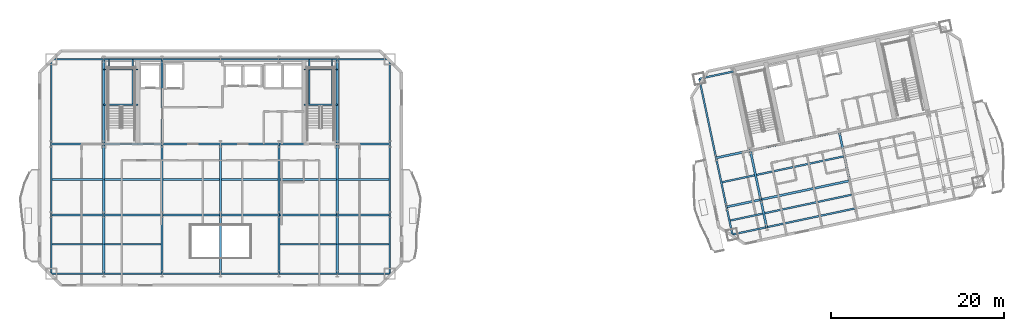
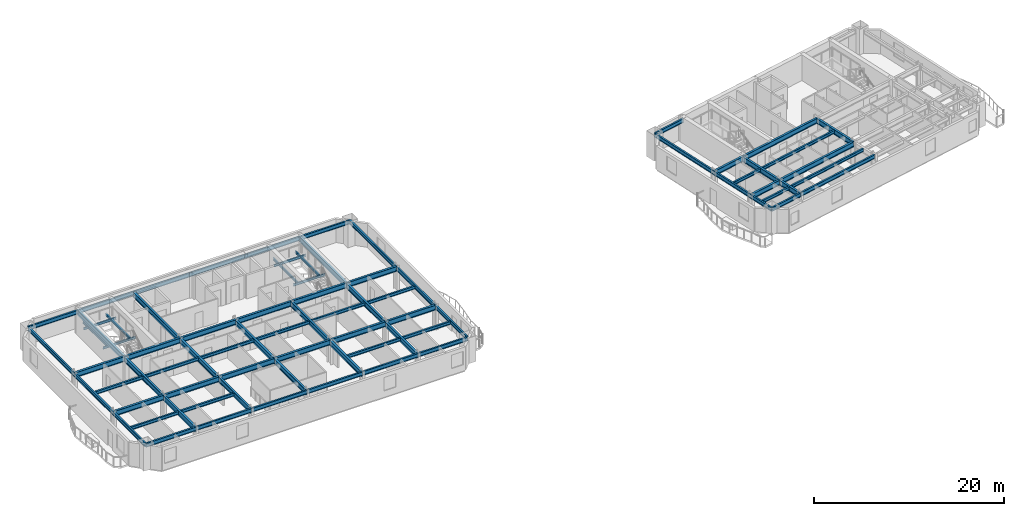
# One storey, part 3 of 13: 78 beams.
"""IFC4 building model written with IfcOpenShell, lengths in metres."""

from ifc_helpers import new_model, si_unit, direction, frame, origin, origin_2d, place, context, subcontext, project, spatial, i_section, extrude, material, material_profile, profile_set, type_object, element, save


model = new_model("IFC4")

# Units and contexts
model_context = context("Model", 3, precision=1e-05, world=origin(), true_north=direction((0.0, 1.0)))
body_context = subcontext(model_context, "Body", "Model", "MODEL_VIEW")
ifc_project = project(units=[si_unit("LENGTHUNIT", "METRE"), si_unit("AREAUNIT", "SQUARE_METRE"), si_unit("VOLUMEUNIT", "CUBIC_METRE"), si_unit("PLANEANGLEUNIT", "RADIAN"), si_unit("MASSUNIT", "GRAM", prefix="KILO")], contexts=[model_context])

# Site, building, storey
site_placement = place(None, origin())
site = spatial("IfcSite", under=ifc_project, at=site_placement, CompositionType="ELEMENT")
building_placement = place(site_placement, origin())
building = spatial("IfcBuilding", under=site, at=building_placement, Name="Haevon Station Towers", CompositionType="ELEMENT")
storey_placement = place(building_placement, frame((0.0, 0.0, 162.60009765625)))
storey = spatial("IfcBuildingStorey", under=building, at=storey_placement, Name="L44", CompositionType="ELEMENT", Elevation=162.60009765625)

# Beams
ifc_material = material(Name="Steel S355", Category="steel")
ifc_material_profile_1 = material_profile(ifc_material, i_section(OverallWidth=0.25, OverallDepth=0.64990234375, WebThickness=0.012939453125, FlangeThickness=0.02197265625, at=origin_2d()), Name="H-650x250x13x22")
ifc_profile_set_1 = profile_set([ifc_material_profile_1], Name="Steel S355")
beam_type_1 = type_object("IfcBeamType", Name="BM-G650", PredefinedType="BEAM", material=ifc_profile_set_1)
beam_1_placement = place(storey_placement, frame((17.925048828125, 30.0, 2.724853515625), z_axis=(1.0, 0.0, 0.0), x_axis=(0.0, 1.0, 0.0)))
element("IfcBeam", 1, at=beam_1_placement, inside=storey, type_object=beam_type_1, Name="BM-T1U-L44-02-01", PredefinedType="BEAM", context=body_context, shape_type="SweptSolid", body=[
    extrude(i_section(OverallWidth=0.25, OverallDepth=0.64990234375, WebThickness=0.012939453125, FlangeThickness=0.02197265625, at=origin_2d()), origin(), (0.0, 0.0, 1.0), 6.074951171875),
])
for number, where, z_axis, x_axis, name in (
    (2, (24.0, 30.0, 2.724853515625), (1.0, 0.0, 0.0), (0.0, 1.0, 0.0), "BM-T1U-L44-02-02"),
    (3, (30.75, 30.0, 2.724853515625), (1.0, 0.0, 0.0), (0.0, 1.0, 0.0), "BM-T1U-L44-02-03"),
    (4, (37.5, 30.0, 2.724853515625), (1.0, 0.0, 0.0), (0.0, 1.0, 0.0), "BM-T1U-L44-02-04"),
    (5, (44.25, 30.0, 2.724853515625), (1.0, 0.0, 0.0), (0.0, 1.0, 0.0), "BM-T1U-L44-02-05"),
):
    element("IfcBeam", number, at=place(storey_placement, frame(where, z_axis=z_axis, x_axis=x_axis)), inside=storey, type_object=beam_type_1, Name=name, PredefinedType="BEAM", context=body_context, shape_type="SweptSolid", body=[
        extrude(i_section(OverallWidth=0.25, OverallDepth=0.64990234375, WebThickness=0.012939453125, FlangeThickness=0.02197265625, at=origin_2d()), origin(), (0.0, 0.0, 1.0), 6.75),
    ])
for number, where, z_axis, x_axis, name in (
    (6, (51.0, 30.0, 2.724853515625), (1.0, 0.0, 0.0), (0.0, 1.0, 0.0), "BM-T1U-L44-02-06"),
    (7, (17.925048828125, 38.199951171875, 2.724853515625), (1.0, 0.0, 0.0), (0.0, 1.0, 0.0), "BM-T1U-L44-03-01"),
):
    element("IfcBeam", number, at=place(storey_placement, frame(where, z_axis=z_axis, x_axis=x_axis)), inside=storey, type_object=beam_type_1, Name=name, PredefinedType="BEAM", context=body_context, shape_type="SweptSolid", body=[
        extrude(i_section(OverallWidth=0.25, OverallDepth=0.64990234375, WebThickness=0.012939453125, FlangeThickness=0.02197265625, at=origin_2d()), origin(), (0.0, 0.0, 1.0), 6.074951171875),
    ])
for number, where, z_axis, x_axis, name in (
    (8, (24.0, 38.199951171875, 2.724853515625), (1.0, 0.0, 0.0), (0.0, 1.0, 0.0), "BM-T1U-L44-03-02"),
    (9, (30.75, 38.199951171875, 2.724853515625), (1.0, 0.0, 0.0), (0.0, 1.0, 0.0), "BM-T1U-L44-03-03"),
    (10, (37.5, 38.199951171875, 2.724853515625), (1.0, 0.0, 0.0), (0.0, 1.0, 0.0), "BM-T1U-L44-03-04"),
    (11, (44.25, 38.199951171875, 2.724853515625), (1.0, 0.0, 0.0), (0.0, 1.0, 0.0), "BM-T1U-L44-03-05"),
):
    element("IfcBeam", number, at=place(storey_placement, frame(where, z_axis=z_axis, x_axis=x_axis)), inside=storey, type_object=beam_type_1, Name=name, PredefinedType="BEAM", context=body_context, shape_type="SweptSolid", body=[
        extrude(i_section(OverallWidth=0.25, OverallDepth=0.64990234375, WebThickness=0.012939453125, FlangeThickness=0.02197265625, at=origin_2d()), origin(), (0.0, 0.0, 1.0), 6.75),
    ])
beam_2_placement = place(storey_placement, frame((51.0, 38.199951171875, 2.724853515625), z_axis=(1.0, 0.0, 0.0), x_axis=(0.0, 1.0, 0.0)))
element("IfcBeam", 12, at=beam_2_placement, inside=storey, type_object=beam_type_1, Name="BM-T1U-L44-03-06", PredefinedType="BEAM", context=body_context, shape_type="SweptSolid", body=[
    extrude(i_section(OverallWidth=0.25, OverallDepth=0.64990234375, WebThickness=0.012939453125, FlangeThickness=0.02197265625, at=origin_2d()), origin(), (0.0, 0.0, 1.0), 6.074951171875),
])
beam_3_placement = place(storey_placement, frame((24.0, 23.199951171875, 2.724853515625), z_axis=(0.0, 1.0, 0.0), x_axis=(-1.0, 0.0, 0.0)))
element("IfcBeam", 13, at=beam_3_placement, inside=storey, type_object=beam_type_1, Name="BM-T1V-L44-02-01", PredefinedType="BEAM", context=body_context, shape_type="SweptSolid", body=[
    extrude(i_section(OverallWidth=0.25, OverallDepth=0.64990234375, WebThickness=0.012939453125, FlangeThickness=0.02197265625, at=origin_2d()), origin(), (0.0, 0.0, 1.0), 6.800048828125),
])
beam_4_placement = place(storey_placement, frame((24.0, 30.0, 2.724853515625), z_axis=(0.0, 1.0, 0.0), x_axis=(-1.0, 0.0, 0.0)))
element("IfcBeam", 14, at=beam_4_placement, inside=storey, type_object=beam_type_1, Name="BM-T1V-L44-02-02", PredefinedType="BEAM", context=body_context, shape_type="SweptSolid", body=[
    extrude(i_section(OverallWidth=0.25, OverallDepth=0.64990234375, WebThickness=0.012939453125, FlangeThickness=0.02197265625, at=origin_2d()), origin(), (0.0, 0.0, 1.0), 8.199951171875),
])
beam_5_placement = place(storey_placement, frame((24.0, 38.199951171875, 2.724853515625), z_axis=(0.0, 1.0, 0.0), x_axis=(-1.0, 0.0, 0.0)))
element("IfcBeam", 15, at=beam_5_placement, inside=storey, type_object=beam_type_1, Name="BM-T1V-L44-02-03", PredefinedType="BEAM", context=body_context, shape_type="SweptSolid", body=[
    extrude(i_section(OverallWidth=0.25, OverallDepth=0.64990234375, WebThickness=0.012939453125, FlangeThickness=0.02197265625, at=origin_2d()), origin(), (0.0, 0.0, 1.0), 9.800048828125),
])
beam_6_placement = place(storey_placement, frame((30.75, 23.199951171875, 2.724853515625), z_axis=(0.0, 1.0, 0.0), x_axis=(-1.0, 0.0, 0.0)))
element("IfcBeam", 16, at=beam_6_placement, inside=storey, type_object=beam_type_1, Name="BM-T1V-L44-03-01", PredefinedType="BEAM", context=body_context, shape_type="SweptSolid", body=[
    extrude(i_section(OverallWidth=0.25, OverallDepth=0.64990234375, WebThickness=0.012939453125, FlangeThickness=0.02197265625, at=origin_2d()), origin(), (0.0, 0.0, 1.0), 6.800048828125),
])
beam_7_placement = place(storey_placement, frame((30.75, 30.0, 2.724853515625), z_axis=(0.0, 1.0, 0.0), x_axis=(-1.0, 0.0, 0.0)))
element("IfcBeam", 17, at=beam_7_placement, inside=storey, type_object=beam_type_1, Name="BM-T1V-L44-03-02", PredefinedType="BEAM", context=body_context, shape_type="SweptSolid", body=[
    extrude(i_section(OverallWidth=0.25, OverallDepth=0.64990234375, WebThickness=0.012939453125, FlangeThickness=0.02197265625, at=origin_2d()), origin(), (0.0, 0.0, 1.0), 8.199951171875),
])
beam_8_placement = place(storey_placement, frame((30.75, 38.199951171875, 2.724853515625), z_axis=(0.0, 1.0, 0.0), x_axis=(-1.0, 0.0, 0.0)))
element("IfcBeam", 18, at=beam_8_placement, inside=storey, type_object=beam_type_1, Name="BM-T1V-L44-03-03", PredefinedType="BEAM", context=body_context, shape_type="SweptSolid", body=[
    extrude(i_section(OverallWidth=0.25, OverallDepth=0.64990234375, WebThickness=0.012939453125, FlangeThickness=0.02197265625, at=origin_2d()), origin(), (0.0, 0.0, 1.0), 9.800048828125),
])
beam_9_placement = place(storey_placement, frame((37.5, 23.199951171875, 2.724853515625), z_axis=(0.0, 1.0, 0.0), x_axis=(-1.0, 0.0, 0.0)))
element("IfcBeam", 19, at=beam_9_placement, inside=storey, type_object=beam_type_1, Name="BM-T1V-L44-04-01", PredefinedType="BEAM", context=body_context, shape_type="SweptSolid", body=[
    extrude(i_section(OverallWidth=0.25, OverallDepth=0.64990234375, WebThickness=0.012939453125, FlangeThickness=0.02197265625, at=origin_2d()), origin(), (0.0, 0.0, 1.0), 6.800048828125),
])
beam_10_placement = place(storey_placement, frame((37.5, 30.0, 2.724853515625), z_axis=(0.0, 1.0, 0.0), x_axis=(-1.0, 0.0, 0.0)))
element("IfcBeam", 20, at=beam_10_placement, inside=storey, type_object=beam_type_1, Name="BM-T1V-L44-04-02", PredefinedType="BEAM", context=body_context, shape_type="SweptSolid", body=[
    extrude(i_section(OverallWidth=0.25, OverallDepth=0.64990234375, WebThickness=0.012939453125, FlangeThickness=0.02197265625, at=origin_2d()), origin(), (0.0, 0.0, 1.0), 8.199951171875),
])
beam_11_placement = place(storey_placement, frame((44.25, 23.199951171875, 2.724853515625), z_axis=(0.0, 1.0, 0.0), x_axis=(-1.0, 0.0, 0.0)))
element("IfcBeam", 21, at=beam_11_placement, inside=storey, type_object=beam_type_1, Name="BM-T1V-L44-05-01", PredefinedType="BEAM", context=body_context, shape_type="SweptSolid", body=[
    extrude(i_section(OverallWidth=0.25, OverallDepth=0.64990234375, WebThickness=0.012939453125, FlangeThickness=0.02197265625, at=origin_2d()), origin(), (0.0, 0.0, 1.0), 6.800048828125),
])
beam_12_placement = place(storey_placement, frame((44.25, 30.0, 2.724853515625), z_axis=(0.0, 1.0, 0.0), x_axis=(-1.0, 0.0, 0.0)))
element("IfcBeam", 22, at=beam_12_placement, inside=storey, type_object=beam_type_1, Name="BM-T1V-L44-05-02", PredefinedType="BEAM", context=body_context, shape_type="SweptSolid", body=[
    extrude(i_section(OverallWidth=0.25, OverallDepth=0.64990234375, WebThickness=0.012939453125, FlangeThickness=0.02197265625, at=origin_2d()), origin(), (0.0, 0.0, 1.0), 8.199951171875),
])
beam_13_placement = place(storey_placement, frame((51.0, 23.199951171875, 2.724853515625), z_axis=(0.0, 1.0, 0.0), x_axis=(-1.0, 0.0, 0.0)))
element("IfcBeam", 23, at=beam_13_placement, inside=storey, type_object=beam_type_1, Name="BM-T1V-L44-06-01", PredefinedType="BEAM", context=body_context, shape_type="SweptSolid", body=[
    extrude(i_section(OverallWidth=0.25, OverallDepth=0.64990234375, WebThickness=0.012939453125, FlangeThickness=0.02197265625, at=origin_2d()), origin(), (0.0, 0.0, 1.0), 6.800048828125),
])
beam_14_placement = place(storey_placement, frame((51.0, 30.0, 2.724853515625), z_axis=(0.0, 1.0, 0.0), x_axis=(-1.0, 0.0, 0.0)))
element("IfcBeam", 24, at=beam_14_placement, inside=storey, type_object=beam_type_1, Name="BM-T1V-L44-06-02", PredefinedType="BEAM", context=body_context, shape_type="SweptSolid", body=[
    extrude(i_section(OverallWidth=0.25, OverallDepth=0.64990234375, WebThickness=0.012939453125, FlangeThickness=0.02197265625, at=origin_2d()), origin(), (0.0, 0.0, 1.0), 8.199951171875),
])
beam_15_placement = place(storey_placement, frame((51.0, 38.199951171875, 2.724853515625), z_axis=(0.0, 1.0, 0.0), x_axis=(-1.0, 0.0, 0.0)))
element("IfcBeam", 25, at=beam_15_placement, inside=storey, type_object=beam_type_1, Name="BM-T1V-L44-06-03", PredefinedType="BEAM", context=body_context, shape_type="SweptSolid", body=[
    extrude(i_section(OverallWidth=0.25, OverallDepth=0.64990234375, WebThickness=0.012939453125, FlangeThickness=0.02197265625, at=origin_2d()), origin(), (0.0, 0.0, 1.0), 9.800048828125),
])
beam_16_placement = place(storey_placement, frame((95.996826171875, 30.927001953125, 2.724853515625), z_axis=(0.978146899108, 0.207914991681, 0.0), x_axis=(-0.207914991681, 0.978146899108, 0.0)))
element("IfcBeam", 26, at=beam_16_placement, inside=storey, type_object=beam_type_1, Name="BM-T2U-L44-02-01", PredefinedType="BEAM", context=body_context, shape_type="SweptSolid", body=[
    extrude(i_section(OverallWidth=0.25, OverallDepth=0.64990234375, WebThickness=0.012939453125, FlangeThickness=0.02197265625, at=origin_2d()), origin(), (0.0, 0.0, 1.0), 4.050048828125),
])
beam_17_placement = place(storey_placement, frame((99.958251953125, 31.76904296875, 2.724853515625), z_axis=(0.978146794194, 0.207915485254, 0.0), x_axis=(-0.207915485254, 0.978146794194, 0.0)))
element("IfcBeam", 27, at=beam_17_placement, inside=storey, type_object=beam_type_1, Name="BM-T2U-L44-02-02", PredefinedType="BEAM", context=body_context, shape_type="SweptSolid", body=[
    extrude(i_section(OverallWidth=0.25, OverallDepth=0.64990234375, WebThickness=0.012939453125, FlangeThickness=0.02197265625, at=origin_2d()), origin(), (0.0, 0.0, 1.0), 10.5),
])
beam_18_placement = place(storey_placement, frame((94.790771484375, 36.600341796875, 2.724853515625), z_axis=(0.978149504816, 0.207902732613, 0.0), x_axis=(-0.207902732613, 0.978149504816, 0.0)))
element("IfcBeam", 28, at=beam_18_placement, inside=storey, type_object=beam_type_1, Name="BM-T2U-L44-03-01", PredefinedType="BEAM", context=body_context, shape_type="SweptSolid", body=[
    extrude(i_section(OverallWidth=0.25, OverallDepth=0.64990234375, WebThickness=0.012939453125, FlangeThickness=0.02197265625, at=origin_2d()), origin(), (0.0, 0.0, 1.0), 4.050048828125),
])
beam_19_placement = place(storey_placement, frame((98.75244140625, 37.4423828125, 2.724853515625), z_axis=(0.978146794194, 0.207915485254, 0.0), x_axis=(-0.207915485254, 0.978146794194, 0.0)))
element("IfcBeam", 29, at=beam_19_placement, inside=storey, type_object=beam_type_1, Name="BM-T2U-L44-03-02", PredefinedType="BEAM", context=body_context, shape_type="SweptSolid", body=[
    extrude(i_section(OverallWidth=0.25, OverallDepth=0.64990234375, WebThickness=0.012939453125, FlangeThickness=0.02197265625, at=origin_2d()), origin(), (0.0, 0.0, 1.0), 10.5),
])
beam_20_placement = place(storey_placement, frame((100.635986328125, 28.580322265625, 2.724853515625), z_axis=(-0.207897270364, 0.978150665785, 0.0), x_axis=(-0.978150665785, -0.207897270364, 0.0)))
element("IfcBeam", 30, at=beam_20_placement, inside=storey, type_object=beam_type_1, Name="BM-T2V-L44-02-01", PredefinedType="BEAM", context=body_context, shape_type="SweptSolid", body=[
    extrude(i_section(OverallWidth=0.25, OverallDepth=0.64990234375, WebThickness=0.012939453125, FlangeThickness=0.02197265625, at=origin_2d()), origin(), (0.0, 0.0, 1.0), 3.260009765625),
])
for number, where, z_axis, x_axis, name in (
    (31, (99.958251953125, 31.76904296875, 2.724853515625), (-0.207896009217, 0.97815093383, 0.0), (-0.97815093383, -0.207896009217, 0.0), "BM-T2V-L44-02-02"),
    (32, (110.228759765625, 33.9521484375, 2.724853515625), (-0.207896009217, 0.97815093383, 0.0), (-0.97815093383, -0.207896009217, 0.0), "BM-T2V-L44-03-02"),
):
    element("IfcBeam", number, at=place(storey_placement, frame(where, z_axis=z_axis, x_axis=x_axis)), inside=storey, type_object=beam_type_1, Name=name, PredefinedType="BEAM", context=body_context, shape_type="SweptSolid", body=[
        extrude(i_section(OverallWidth=0.25, OverallDepth=0.64990234375, WebThickness=0.012939453125, FlangeThickness=0.02197265625, at=origin_2d()), origin(), (0.0, 0.0, 1.0), 5.800048828125),
    ])
ifc_material_profile_2 = material_profile(ifc_material, i_section(OverallWidth=0.199951171875, OverallDepth=0.39990234375, WebThickness=0.008056640625, FlangeThickness=0.012939453125, at=origin_2d()), Name="H-400x200x8x13")
ifc_profile_set_2 = profile_set([ifc_material_profile_2], Name="Steel S355")
beam_type_2 = type_object("IfcBeamType", Name="BM-J400", PredefinedType="JOIST", material=ifc_profile_set_2)
beam_21_placement = place(storey_placement, frame((18.034912109375, 26.60009765625, 2.849853515625), z_axis=(1.0, 0.0, 0.0), x_axis=(0.0, 1.0, 0.0)))
element("IfcBeam", 33, at=beam_21_placement, inside=storey, type_object=beam_type_2, Name="BM-T1J-L44-01-01", PredefinedType="JOIST", context=body_context, shape_type="SweptSolid", body=[
    extrude(i_section(OverallWidth=0.199951171875, OverallDepth=0.39990234375, WebThickness=0.008056640625, FlangeThickness=0.012939453125, at=origin_2d()), origin(), (0.0, 0.0, 1.0), 5.85498046875),
])
for number, where, z_axis, x_axis, name in (
    (34, (24.110107421875, 26.60009765625, 2.849853515625), (1.0, 0.0, 0.0), (0.0, 1.0, 0.0), "BM-T1J-L44-01-02"),
    (35, (44.360107421875, 26.60009765625, 2.849853515625), (1.0, 0.0, 0.0), (0.0, 1.0, 0.0), "BM-T1J-L44-01-05"),
):
    element("IfcBeam", number, at=place(storey_placement, frame(where, z_axis=z_axis, x_axis=x_axis)), inside=storey, type_object=beam_type_2, Name=name, PredefinedType="JOIST", context=body_context, shape_type="SweptSolid", body=[
        extrude(i_section(OverallWidth=0.199951171875, OverallDepth=0.39990234375, WebThickness=0.008056640625, FlangeThickness=0.012939453125, at=origin_2d()), origin(), (0.0, 0.0, 1.0), 6.52978515625),
    ])
for number, where, z_axis, x_axis, name in (
    (36, (51.110107421875, 26.60009765625, 2.849853515625), (1.0, 0.0, 0.0), (0.0, 1.0, 0.0), "BM-T1J-L44-01-06"),
    (37, (18.034912109375, 34.10009765625, 2.849853515625), (1.0, 0.0, 0.0), (0.0, 1.0, 0.0), "BM-T1J-L44-02-01"),
):
    element("IfcBeam", number, at=place(storey_placement, frame(where, z_axis=z_axis, x_axis=x_axis)), inside=storey, type_object=beam_type_2, Name=name, PredefinedType="JOIST", context=body_context, shape_type="SweptSolid", body=[
        extrude(i_section(OverallWidth=0.199951171875, OverallDepth=0.39990234375, WebThickness=0.008056640625, FlangeThickness=0.012939453125, at=origin_2d()), origin(), (0.0, 0.0, 1.0), 5.85498046875),
    ])
for number, where, z_axis, x_axis, name in (
    (38, (24.110107421875, 34.10009765625, 2.849853515625), (1.0, 0.0, 0.0), (0.0, 1.0, 0.0), "BM-T1J-L44-02-02"),
    (39, (30.860107421875, 34.10009765625, 2.849853515625), (1.0, 0.0, 0.0), (0.0, 1.0, 0.0), "BM-T1J-L44-02-03"),
    (40, (37.610107421875, 34.10009765625, 2.849853515625), (1.0, 0.0, 0.0), (0.0, 1.0, 0.0), "BM-T1J-L44-02-04"),
    (41, (44.360107421875, 34.10009765625, 2.849853515625), (1.0, 0.0, 0.0), (0.0, 1.0, 0.0), "BM-T1J-L44-02-05"),
):
    element("IfcBeam", number, at=place(storey_placement, frame(where, z_axis=z_axis, x_axis=x_axis)), inside=storey, type_object=beam_type_2, Name=name, PredefinedType="JOIST", context=body_context, shape_type="SweptSolid", body=[
        extrude(i_section(OverallWidth=0.199951171875, OverallDepth=0.39990234375, WebThickness=0.008056640625, FlangeThickness=0.012939453125, at=origin_2d()), origin(), (0.0, 0.0, 1.0), 6.52978515625),
    ])
beam_22_placement = place(storey_placement, frame((51.110107421875, 34.10009765625, 2.849853515625), z_axis=(1.0, 0.0, 0.0), x_axis=(0.0, 1.0, 0.0)))
element("IfcBeam", 42, at=beam_22_placement, inside=storey, type_object=beam_type_2, Name="BM-T1J-L44-02-06", PredefinedType="JOIST", context=body_context, shape_type="SweptSolid", body=[
    extrude(i_section(OverallWidth=0.199951171875, OverallDepth=0.39990234375, WebThickness=0.008056640625, FlangeThickness=0.012939453125, at=origin_2d()), origin(), (0.0, 0.0, 1.0), 5.85498046875),
])
beam_23_placement = place(storey_placement, frame((96.443115234375, 29.355712890625, 2.849853515625), z_axis=(0.978156420772, 0.207870191472, 0.0), x_axis=(-0.207870191472, 0.978156420772, 0.0)))
element("IfcBeam", 43, at=beam_23_placement, inside=storey, type_object=beam_type_2, Name="BM-T2J-L44-01-01", PredefinedType="JOIST", context=body_context, shape_type="SweptSolid", body=[
    extrude(i_section(OverallWidth=0.199951171875, OverallDepth=0.39990234375, WebThickness=0.008056640625, FlangeThickness=0.012939453125, at=origin_2d()), origin(), (0.0, 0.0, 1.0), 3.830078125),
])
beam_24_placement = place(storey_placement, frame((100.40478515625, 30.19775390625, 2.849853515625), z_axis=(0.978150339653, 0.207898804801, 0.0), x_axis=(-0.207898804801, 0.978150339653, 0.0)))
element("IfcBeam", 44, at=beam_24_placement, inside=storey, type_object=beam_type_2, Name="BM-T2J-L44-01-02", PredefinedType="JOIST", context=body_context, shape_type="SweptSolid", body=[
    extrude(i_section(OverallWidth=0.199951171875, OverallDepth=0.39990234375, WebThickness=0.008056640625, FlangeThickness=0.012939453125, at=origin_2d()), origin(), (0.0, 0.0, 1.0), 10.280029296875),
])
beam_25_placement = place(storey_placement, frame((95.50146484375, 33.78662109375, 2.849853515625), z_axis=(0.97814345794, 0.207931180176, 0.0), x_axis=(-0.207931180176, 0.97814345794, 0.0)))
element("IfcBeam", 45, at=beam_25_placement, inside=storey, type_object=beam_type_2, Name="BM-T2J-L44-02-01", PredefinedType="JOIST", context=body_context, shape_type="SweptSolid", body=[
    extrude(i_section(OverallWidth=0.199951171875, OverallDepth=0.39990234375, WebThickness=0.008056640625, FlangeThickness=0.012939453125, at=origin_2d()), origin(), (0.0, 0.0, 1.0), 3.830078125),
])
beam_26_placement = place(storey_placement, frame((99.462890625, 34.628662109375, 2.849853515625), z_axis=(0.978150339653, 0.207898804801, 0.0), x_axis=(-0.207898804801, 0.978150339653, 0.0)))
element("IfcBeam", 46, at=beam_26_placement, inside=storey, type_object=beam_type_2, Name="BM-T2J-L44-02-02", PredefinedType="JOIST", context=body_context, shape_type="SweptSolid", body=[
    extrude(i_section(OverallWidth=0.199951171875, OverallDepth=0.39990234375, WebThickness=0.008056640625, FlangeThickness=0.012939453125, at=origin_2d()), origin(), (0.0, 0.0, 1.0), 10.280029296875),
])
ifc_material_profile_3 = material_profile(ifc_material, i_section(OverallWidth=0.14990234375, OverallDepth=0.300048828125, WebThickness=0.006591796875, FlangeThickness=0.009033203125, at=origin_2d()), Name="H-300x150x6.5x9")
ifc_profile_set_3 = profile_set([ifc_material_profile_3], Name="Steel S355")
beam_type_3 = type_object("IfcBeamType", Name="BM-LIN300", PredefinedType="LINTEL", material=ifc_profile_set_3)
for number, where, z_axis, x_axis, name in (
    (47, (24.0, 42.743896484375, 1.2998046875), (1.0, 0.0, 0.0), (0.0, 1.0, 0.0), "BM-ST1L-L44-1-S"),
    (48, (24.0, 46.820068359375, 1.2998046875), (1.0, 0.0, 0.0), (0.0, 1.0, 0.0), "BM-ST1L-L44-1-N"),
):
    element("IfcBeam", number, at=place(storey_placement, frame(where, z_axis=z_axis, x_axis=x_axis)), inside=storey, type_object=beam_type_3, Name=name, PredefinedType="LINTEL", context=body_context, shape_type="SweptSolid", body=[
        extrude(i_section(OverallWidth=0.14990234375, OverallDepth=0.300048828125, WebThickness=0.006591796875, FlangeThickness=0.009033203125, at=origin_2d()), origin(), (0.0, 0.0, 1.0), 3.949951171875),
    ])
for number, where, z_axis, x_axis, name in (
    (49, (24.60009765625, 42.743896484375, 1.2998046875), (0.0, 1.0, 0.0), (-1.0, 0.0, 0.0), "BM-ST1L-L44-1-W"),
    (50, (27.35009765625, 42.743896484375, 1.2998046875), (0.0, 1.0, 0.0), (-1.0, 0.0, 0.0), "BM-ST1L-L44-1-E"),
):
    element("IfcBeam", number, at=place(storey_placement, frame(where, z_axis=z_axis, x_axis=x_axis)), inside=storey, type_object=beam_type_3, Name=name, PredefinedType="LINTEL", context=body_context, shape_type="SweptSolid", body=[
        extrude(i_section(OverallWidth=0.14990234375, OverallDepth=0.300048828125, WebThickness=0.006591796875, FlangeThickness=0.009033203125, at=origin_2d()), origin(), (0.0, 0.0, 1.0), 5.256103515625),
    ])
for number, where, z_axis, x_axis, name in (
    (51, (47.14990234375, 42.743896484375, 1.2998046875), (1.0, 0.0, 0.0), (0.0, 1.0, 0.0), "BM-ST2L-L44-1-S"),
    (52, (47.14990234375, 46.820068359375, 1.2998046875), (1.0, 0.0, 0.0), (0.0, 1.0, 0.0), "BM-ST2L-L44-1-N"),
):
    element("IfcBeam", number, at=place(storey_placement, frame(where, z_axis=z_axis, x_axis=x_axis)), inside=storey, type_object=beam_type_3, Name=name, PredefinedType="LINTEL", context=body_context, shape_type="SweptSolid", body=[
        extrude(i_section(OverallWidth=0.14990234375, OverallDepth=0.300048828125, WebThickness=0.006591796875, FlangeThickness=0.009033203125, at=origin_2d()), origin(), (0.0, 0.0, 1.0), 3.85009765625),
    ])
for number, where, z_axis, x_axis, name in (
    (53, (47.75, 42.743896484375, 1.2998046875), (0.0, 1.0, 0.0), (-1.0, 0.0, 0.0), "BM-ST2L-L44-1-W"),
    (54, (50.39990234375, 42.743896484375, 1.2998046875), (0.0, 1.0, 0.0), (-1.0, 0.0, 0.0), "BM-ST2L-L44-1-E"),
):
    element("IfcBeam", number, at=place(storey_placement, frame(where, z_axis=z_axis, x_axis=x_axis)), inside=storey, type_object=beam_type_3, Name=name, PredefinedType="LINTEL", context=body_context, shape_type="SweptSolid", body=[
        extrude(i_section(OverallWidth=0.14990234375, OverallDepth=0.300048828125, WebThickness=0.006591796875, FlangeThickness=0.009033203125, at=origin_2d()), origin(), (0.0, 0.0, 1.0), 5.256103515625),
    ])
ifc_material_profile_4 = material_profile(ifc_material, i_section(OverallWidth=0.199951171875, OverallDepth=0.5, WebThickness=0.010009765625, FlangeThickness=0.01611328125, at=origin_2d()), Name="H-500x200x10x16")
ifc_profile_set_4 = profile_set([ifc_material_profile_4], Name="Steel S355")
beam_type_4 = type_object("IfcBeamType", Name="BM-SP500", PredefinedType="SPANDREL", material=ifc_profile_set_4)
beam_27_placement = place(storey_placement, frame((17.925048828125, 23.199951171875, 2.7998046875), z_axis=(1.0, 0.0, 0.0), x_axis=(0.0, 1.0, 0.0)))
element("IfcBeam", 55, at=beam_27_placement, inside=storey, type_object=beam_type_4, Name="BM-T1U-L44-01-01", PredefinedType="SPANDREL", context=body_context, shape_type="SweptSolid", body=[
    extrude(i_section(OverallWidth=0.199951171875, OverallDepth=0.5, WebThickness=0.010009765625, FlangeThickness=0.01611328125, at=origin_2d()), origin(), (0.0, 0.0, 1.0), 6.074951171875),
])
for number, where, z_axis, x_axis, name in (
    (56, (24.0, 23.199951171875, 2.7998046875), (1.0, 0.0, 0.0), (0.0, 1.0, 0.0), "BM-T1U-L44-01-02"),
    (57, (30.75, 23.199951171875, 2.7998046875), (1.0, 0.0, 0.0), (0.0, 1.0, 0.0), "BM-T1U-L44-01-03"),
    (58, (37.5, 23.199951171875, 2.7998046875), (1.0, 0.0, 0.0), (0.0, 1.0, 0.0), "BM-T1U-L44-01-04"),
    (59, (44.25, 23.199951171875, 2.7998046875), (1.0, 0.0, 0.0), (0.0, 1.0, 0.0), "BM-T1U-L44-01-05"),
):
    element("IfcBeam", number, at=place(storey_placement, frame(where, z_axis=z_axis, x_axis=x_axis)), inside=storey, type_object=beam_type_4, Name=name, PredefinedType="SPANDREL", context=body_context, shape_type="SweptSolid", body=[
        extrude(i_section(OverallWidth=0.199951171875, OverallDepth=0.5, WebThickness=0.010009765625, FlangeThickness=0.01611328125, at=origin_2d()), origin(), (0.0, 0.0, 1.0), 6.75),
    ])
for number, where, z_axis, x_axis, name in (
    (60, (51.0, 23.199951171875, 2.7998046875), (1.0, 0.0, 0.0), (0.0, 1.0, 0.0), "BM-T1U-L44-01-06"),
    (61, (17.925048828125, 48.0, 2.7998046875), (1.0, 0.0, 0.0), (0.0, 1.0, 0.0), "BM-T1U-L44-04-01"),
):
    element("IfcBeam", number, at=place(storey_placement, frame(where, z_axis=z_axis, x_axis=x_axis)), inside=storey, type_object=beam_type_4, Name=name, PredefinedType="SPANDREL", context=body_context, shape_type="SweptSolid", body=[
        extrude(i_section(OverallWidth=0.199951171875, OverallDepth=0.5, WebThickness=0.010009765625, FlangeThickness=0.01611328125, at=origin_2d()), origin(), (0.0, 0.0, 1.0), 6.074951171875),
    ])
for number, where, z_axis, x_axis, name in (
    (62, (24.0, 48.0, 2.7998046875), (1.0, 0.0, 0.0), (0.0, 1.0, 0.0), "BM-T1U-L44-04-02"),
    (63, (30.75, 48.0, 2.7998046875), (1.0, 0.0, 0.0), (0.0, 1.0, 0.0), "BM-T1U-L44-04-03"),
    (64, (37.5, 48.0, 2.7998046875), (1.0, 0.0, 0.0), (0.0, 1.0, 0.0), "BM-T1U-L44-04-04"),
    (65, (44.25, 48.0, 2.7998046875), (1.0, 0.0, 0.0), (0.0, 1.0, 0.0), "BM-T1U-L44-04-05"),
):
    element("IfcBeam", number, at=place(storey_placement, frame(where, z_axis=z_axis, x_axis=x_axis)), inside=storey, type_object=beam_type_4, Name=name, PredefinedType="SPANDREL", context=body_context, shape_type="SweptSolid", body=[
        extrude(i_section(OverallWidth=0.199951171875, OverallDepth=0.5, WebThickness=0.010009765625, FlangeThickness=0.01611328125, at=origin_2d()), origin(), (0.0, 0.0, 1.0), 6.75),
    ])
beam_28_placement = place(storey_placement, frame((51.0, 48.0, 2.7998046875), z_axis=(1.0, 0.0, 0.0), x_axis=(0.0, 1.0, 0.0)))
element("IfcBeam", 66, at=beam_28_placement, inside=storey, type_object=beam_type_4, Name="BM-T1U-L44-04-06", PredefinedType="SPANDREL", context=body_context, shape_type="SweptSolid", body=[
    extrude(i_section(OverallWidth=0.199951171875, OverallDepth=0.5, WebThickness=0.010009765625, FlangeThickness=0.01611328125, at=origin_2d()), origin(), (0.0, 0.0, 1.0), 6.074951171875),
])
beam_29_placement = place(storey_placement, frame((17.925048828125, 23.199951171875, 2.7998046875), z_axis=(0.0, 1.0, 0.0), x_axis=(-1.0, 0.0, 0.0)))
element("IfcBeam", 67, at=beam_29_placement, inside=storey, type_object=beam_type_4, Name="BM-T1V-L44-01-01", PredefinedType="SPANDREL", context=body_context, shape_type="SweptSolid", body=[
    extrude(i_section(OverallWidth=0.199951171875, OverallDepth=0.5, WebThickness=0.010009765625, FlangeThickness=0.01611328125, at=origin_2d()), origin(), (0.0, 0.0, 1.0), 6.800048828125),
])
beam_30_placement = place(storey_placement, frame((17.925048828125, 30.0, 2.7998046875), z_axis=(0.0, 1.0, 0.0), x_axis=(-1.0, 0.0, 0.0)))
element("IfcBeam", 68, at=beam_30_placement, inside=storey, type_object=beam_type_4, Name="BM-T1V-L44-01-02", PredefinedType="SPANDREL", context=body_context, shape_type="SweptSolid", body=[
    extrude(i_section(OverallWidth=0.199951171875, OverallDepth=0.5, WebThickness=0.010009765625, FlangeThickness=0.01611328125, at=origin_2d()), origin(), (0.0, 0.0, 1.0), 8.199951171875),
])
beam_31_placement = place(storey_placement, frame((17.925048828125, 38.199951171875, 2.7998046875), z_axis=(0.0, 1.0, 0.0), x_axis=(-1.0, 0.0, 0.0)))
element("IfcBeam", 69, at=beam_31_placement, inside=storey, type_object=beam_type_4, Name="BM-T1V-L44-01-03", PredefinedType="SPANDREL", context=body_context, shape_type="SweptSolid", body=[
    extrude(i_section(OverallWidth=0.199951171875, OverallDepth=0.5, WebThickness=0.010009765625, FlangeThickness=0.01611328125, at=origin_2d()), origin(), (0.0, 0.0, 1.0), 9.800048828125),
])
beam_32_placement = place(storey_placement, frame((57.074951171875, 23.199951171875, 2.7998046875), z_axis=(0.0, 1.0, 0.0), x_axis=(-1.0, 0.0, 0.0)))
element("IfcBeam", 70, at=beam_32_placement, inside=storey, type_object=beam_type_4, Name="BM-T1V-L44-07-01", PredefinedType="SPANDREL", context=body_context, shape_type="SweptSolid", body=[
    extrude(i_section(OverallWidth=0.199951171875, OverallDepth=0.5, WebThickness=0.010009765625, FlangeThickness=0.01611328125, at=origin_2d()), origin(), (0.0, 0.0, 1.0), 6.800048828125),
])
beam_33_placement = place(storey_placement, frame((57.074951171875, 30.0, 2.7998046875), z_axis=(0.0, 1.0, 0.0), x_axis=(-1.0, 0.0, 0.0)))
element("IfcBeam", 71, at=beam_33_placement, inside=storey, type_object=beam_type_4, Name="BM-T1V-L44-07-02", PredefinedType="SPANDREL", context=body_context, shape_type="SweptSolid", body=[
    extrude(i_section(OverallWidth=0.199951171875, OverallDepth=0.5, WebThickness=0.010009765625, FlangeThickness=0.01611328125, at=origin_2d()), origin(), (0.0, 0.0, 1.0), 8.199951171875),
])
beam_34_placement = place(storey_placement, frame((57.074951171875, 38.199951171875, 2.7998046875), z_axis=(0.0, 1.0, 0.0), x_axis=(-1.0, 0.0, 0.0)))
element("IfcBeam", 72, at=beam_34_placement, inside=storey, type_object=beam_type_4, Name="BM-T1V-L44-07-03", PredefinedType="SPANDREL", context=body_context, shape_type="SweptSolid", body=[
    extrude(i_section(OverallWidth=0.199951171875, OverallDepth=0.5, WebThickness=0.010009765625, FlangeThickness=0.01611328125, at=origin_2d()), origin(), (0.0, 0.0, 1.0), 9.800048828125),
])
beam_35_placement = place(storey_placement, frame((96.674560546875, 27.73828125, 2.7998046875), z_axis=(0.978146899108, 0.207914991681, 0.0), x_axis=(-0.207914991681, 0.978146899108, 0.0)))
element("IfcBeam", 73, at=beam_35_placement, inside=storey, type_object=beam_type_4, Name="BM-T2U-L44-01-01", PredefinedType="SPANDREL", context=body_context, shape_type="SweptSolid", body=[
    extrude(i_section(OverallWidth=0.199951171875, OverallDepth=0.5, WebThickness=0.010009765625, FlangeThickness=0.01611328125, at=origin_2d()), origin(), (0.0, 0.0, 1.0), 4.050048828125),
])
beam_36_placement = place(storey_placement, frame((100.635986328125, 28.580322265625, 2.7998046875), z_axis=(0.978146794194, 0.207915485254, 0.0), x_axis=(-0.207915485254, 0.978146794194, 0.0)))
element("IfcBeam", 74, at=beam_36_placement, inside=storey, type_object=beam_type_4, Name="BM-T2U-L44-01-02", PredefinedType="SPANDREL", context=body_context, shape_type="SweptSolid", body=[
    extrude(i_section(OverallWidth=0.199951171875, OverallDepth=0.5, WebThickness=0.010009765625, FlangeThickness=0.01611328125, at=origin_2d()), origin(), (0.0, 0.0, 1.0), 10.5),
])
beam_37_placement = place(storey_placement, frame((92.846923828125, 45.74609375, 2.7998046875), z_axis=(0.978146899108, 0.207914991681, 0.0), x_axis=(-0.207914991681, 0.978146899108, 0.0)))
element("IfcBeam", 75, at=beam_37_placement, inside=storey, type_object=beam_type_4, Name="BM-T2U-L44-04-01", PredefinedType="SPANDREL", context=body_context, shape_type="SweptSolid", body=[
    extrude(i_section(OverallWidth=0.199951171875, OverallDepth=0.5, WebThickness=0.010009765625, FlangeThickness=0.01611328125, at=origin_2d()), origin(), (0.0, 0.0, 1.0), 4.050048828125),
])
beam_38_placement = place(storey_placement, frame((96.674560546875, 27.73828125, 2.7998046875), z_axis=(-0.207897270364, 0.978150665785, 0.0), x_axis=(-0.978150665785, -0.207897270364, 0.0)))
element("IfcBeam", 76, at=beam_38_placement, inside=storey, type_object=beam_type_4, Name="BM-T2V-L44-01-01", PredefinedType="SPANDREL", context=body_context, shape_type="SweptSolid", body=[
    extrude(i_section(OverallWidth=0.199951171875, OverallDepth=0.5, WebThickness=0.010009765625, FlangeThickness=0.01611328125, at=origin_2d()), origin(), (0.0, 0.0, 1.0), 3.260009765625),
])
beam_39_placement = place(storey_placement, frame((95.996826171875, 30.927001953125, 2.7998046875), z_axis=(-0.207936282142, 0.978142373363, 0.0), x_axis=(-0.978142373363, -0.207936282142, 0.0)))
element("IfcBeam", 77, at=beam_39_placement, inside=storey, type_object=beam_type_4, Name="BM-T2V-L44-01-02", PredefinedType="SPANDREL", context=body_context, shape_type="SweptSolid", body=[
    extrude(i_section(OverallWidth=0.199951171875, OverallDepth=0.5, WebThickness=0.010009765625, FlangeThickness=0.01611328125, at=origin_2d()), origin(), (0.0, 0.0, 1.0), 5.800048828125),
])
beam_40_placement = place(storey_placement, frame((94.790771484375, 36.600341796875, 2.7998046875), z_axis=(-0.207897167074, 0.978150687738, 0.0), x_axis=(-0.978150687738, -0.207897167074, 0.0)))
element("IfcBeam", 78, at=beam_40_placement, inside=storey, type_object=beam_type_4, Name="BM-T2V-L44-01-03", PredefinedType="SPANDREL", context=body_context, shape_type="SweptSolid", body=[
    extrude(i_section(OverallWidth=0.199951171875, OverallDepth=0.5, WebThickness=0.010009765625, FlangeThickness=0.01611328125, at=origin_2d()), origin(), (0.0, 0.0, 1.0), 9.35009765625),
])

save(model, "model.ifc")
